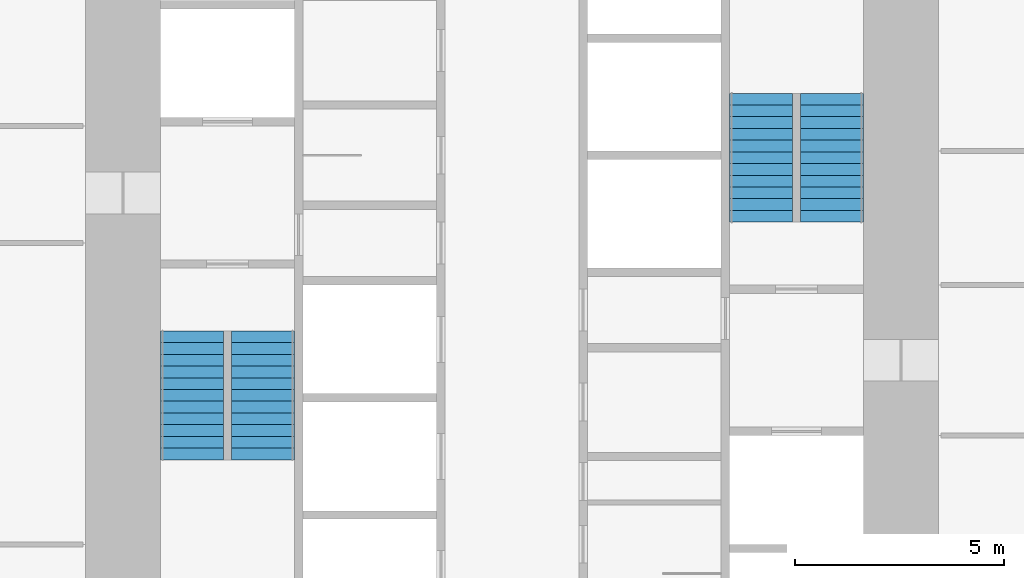
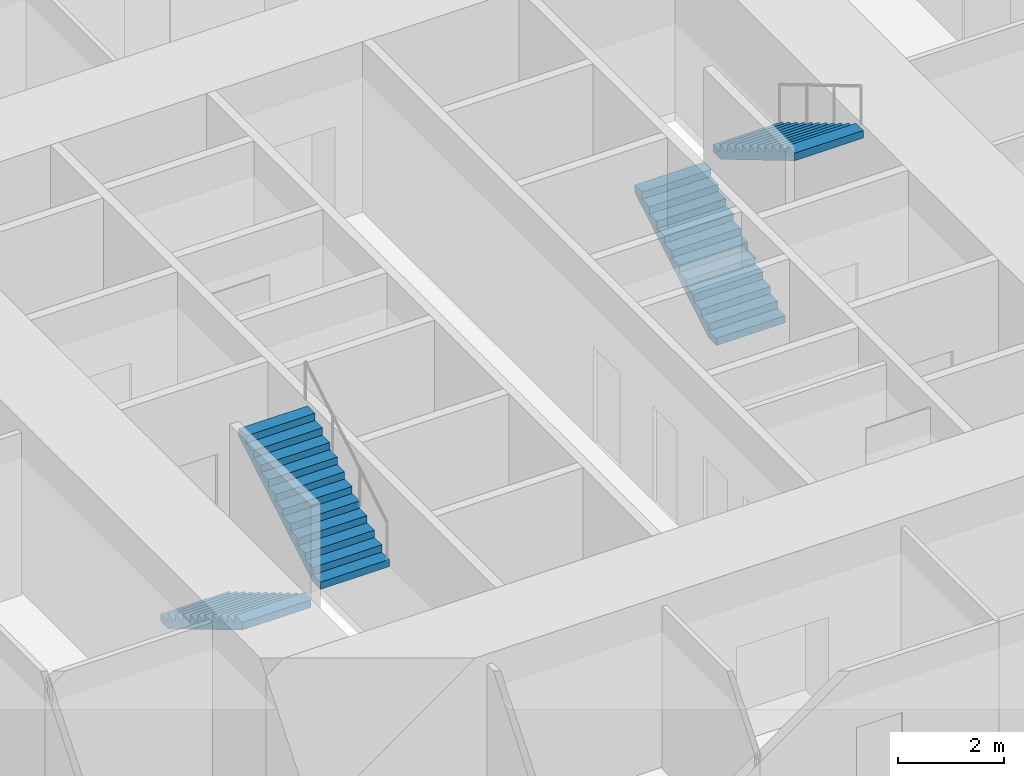
# One storey, part 13 of 16: 4 stair flights, 2 elements without a shape of their own.
"""IFC4 building model written with IfcOpenShell, lengths in metres."""

from ifc_helpers import new_model, si_unit, direction, frame, origin, place, context, subcontext, project, spatial, polyline, outline, extrude, material, type_object, element, aggregate, save


model = new_model("IFC4")

# Units and contexts
model_context = context("Model", 3, precision=1e-05, world=origin(), true_north=direction((0.0, 1.0)))
body_context = subcontext(model_context, "Body", "Model", "MODEL_VIEW")
ifc_project = project(units=[si_unit("LENGTHUNIT", "METRE"), si_unit("AREAUNIT", "SQUARE_METRE"), si_unit("VOLUMEUNIT", "CUBIC_METRE"), si_unit("PLANEANGLEUNIT", "RADIAN"), si_unit("MASSUNIT", "GRAM", prefix="KILO")], contexts=[model_context])

# Site, building, storey
site_placement = place(None, origin())
site = spatial("IfcSite", under=ifc_project, at=site_placement, CompositionType="ELEMENT")
building_placement = place(site_placement, origin())
building = spatial("IfcBuilding", under=site, at=building_placement, Name="Svetlomir Tower", CompositionType="ELEMENT")
storey_placement = place(building_placement, frame((0.0, 0.0, 22.5)))
storey = spatial("IfcBuildingStorey", under=building, at=storey_placement, Name="L04", CompositionType="ELEMENT", Elevation=22.5)

# Stair, stair flights
ifc_material_1 = material(Name="Concrete C60/75", Category="concrete")
stair_type = type_object("IfcStairType", Name="EXIT STAIR 3200 RISE 4000", PredefinedType="HALF_TURN_STAIR", material=ifc_material_1)
stair_1_placement = place(storey_placement, origin())
stair_1 = element("IfcStair", 1, at=stair_1_placement, inside=storey, type_object=stair_type, Name="Stair S1 L04 to L05", PredefinedType="HALF_TURN_STAIR")
ifc_material_2 = material(Name="Concrete C60/75", Category="concrete")
stair_flight_type = type_object("IfcStairFlightType", Name="STAIR FLIGHT 1500 OF 12 RISERS", PredefinedType="STRAIGHT", material=ifc_material_2)
stair_flight_1_placement = place(storey_placement, frame((13.35009765625, 19.699951171875, 0.0), z_axis=(0.0, 0.0, 1.0), x_axis=(0.0, -1.0, 0.0)))
stair_flight_1 = element("IfcStairFlight", 2, at=stair_flight_1_placement, type_object=stair_flight_type, Name="S1 flight 1", NumberOfRisers=12, NumberOfTreads=11, PredefinedType="STRAIGHT", RiserHeight=0.166666667, TreadLength=0.28, context=body_context, shape_type="SweptSolid", body=[
    extrude(outline(polyline([(0.0, 0.0), (0.0, 0.166748046875), (0.280029296875, 0.166748046875), (0.280029296875, 0.333251953125), (0.56005859375, 0.333251953125), (0.56005859375, 0.5), (0.840087890625, 0.5), (0.840087890625, 0.666748046875), (1.1201171875, 0.666748046875), (1.1201171875, 0.833251953125), (1.39990234375, 0.833251953125), (1.39990234375, 1.0), (1.679931640625, 1.0), (1.679931640625, 1.166748046875), (1.9599609375, 1.166748046875), (1.9599609375, 1.333251953125), (2.239990234375, 1.333251953125), (2.239990234375, 1.5), (2.52001953125, 1.5), (2.52001953125, 1.666748046875), (2.800048828125, 1.666748046875), (2.800048828125, 1.833251953125), (3.080078125, 1.833251953125), (3.080078125, 2.0), (3.080078125, 1.658935546875), (0.29296875, 0.0), (0.0, 0.0)])), frame((0.0, 0.75, 0.0), z_axis=(0.0, -1.0, 0.0), x_axis=(1.0, 0.0, 0.0)), (0.0, 0.0, 1.0), 1.5),
])
stair_flight_2_placement = place(storey_placement, frame((15.050048828125, 16.6201171875, 2.0), z_axis=(0.0, 0.0, 1.0), x_axis=(0.0, 1.0, 0.0)))
stair_flight_2 = element("IfcStairFlight", 3, at=stair_flight_2_placement, type_object=stair_flight_type, Name="S1 flight 2", NumberOfRisers=12, NumberOfTreads=11, PredefinedType="STRAIGHT", RiserHeight=0.166666667, TreadLength=0.28, context=body_context, shape_type="SweptSolid", body=[
    extrude(outline(polyline([(0.0, 0.0), (0.0, 0.166748046875), (0.280029296875, 0.166748046875), (0.280029296875, 0.333251953125), (0.56005859375, 0.333251953125), (0.56005859375, 0.5), (0.840087890625, 0.5), (0.840087890625, 0.666748046875), (1.1201171875, 0.666748046875), (1.1201171875, 0.833251953125), (1.39990234375, 0.833251953125), (1.39990234375, 1.0), (1.679931640625, 1.0), (1.679931640625, 1.166748046875), (1.9599609375, 1.166748046875), (1.9599609375, 1.333251953125), (2.239990234375, 1.333251953125), (2.239990234375, 1.5), (2.52001953125, 1.5), (2.52001953125, 1.666748046875), (2.800048828125, 1.666748046875), (2.800048828125, 1.833251953125), (3.080078125, 1.833251953125), (3.080078125, 2.0), (3.080078125, 1.658935546875), (0.29296875, 0.0), (0.0, 0.0)])), frame((0.0, 0.75, 0.0), z_axis=(0.0, -1.0, 0.0), x_axis=(1.0, 0.0, 0.0)), (0.0, 0.0, 1.0), 1.5),
])
aggregate(stair_1, [stair_flight_1, stair_flight_2])

stair_2_placement = place(storey_placement, origin())
stair_2 = element("IfcStair", 4, at=stair_2_placement, inside=storey, type_object=stair_type, Name="Stair S2 L04 to L05", PredefinedType="HALF_TURN_STAIR")
stair_flight_3_placement = place(storey_placement, frame((26.949951171875, 22.300048828125, 0.0), z_axis=(0.0, 0.0, 1.0), x_axis=(0.0, 1.0, 0.0)))
stair_flight_3 = element("IfcStairFlight", 5, at=stair_flight_3_placement, type_object=stair_flight_type, Name="S2 flight 1", NumberOfRisers=12, NumberOfTreads=11, PredefinedType="STRAIGHT", RiserHeight=0.166666667, TreadLength=0.28, context=body_context, shape_type="SweptSolid", body=[
    extrude(outline(polyline([(0.0, 0.0), (0.0, 0.166748046875), (0.280029296875, 0.166748046875), (0.280029296875, 0.333251953125), (0.56005859375, 0.333251953125), (0.56005859375, 0.5), (0.840087890625, 0.5), (0.840087890625, 0.666748046875), (1.1201171875, 0.666748046875), (1.1201171875, 0.833251953125), (1.39990234375, 0.833251953125), (1.39990234375, 1.0), (1.679931640625, 1.0), (1.679931640625, 1.166748046875), (1.9599609375, 1.166748046875), (1.9599609375, 1.333251953125), (2.239990234375, 1.333251953125), (2.239990234375, 1.5), (2.52001953125, 1.5), (2.52001953125, 1.666748046875), (2.800048828125, 1.666748046875), (2.800048828125, 1.833251953125), (3.080078125, 1.833251953125), (3.080078125, 2.0), (3.080078125, 1.658935546875), (0.29296875, 0.0), (0.0, 0.0)])), frame((0.0, 0.75, 0.0), z_axis=(0.0, -1.0, 0.0), x_axis=(1.0, 0.0, 0.0)), (0.0, 0.0, 1.0), 1.5),
])
stair_flight_4_placement = place(storey_placement, frame((28.64990234375, 25.3798828125, 2.0), z_axis=(0.0, 0.0, 1.0), x_axis=(0.0, -1.0, 0.0)))
stair_flight_4 = element("IfcStairFlight", 6, at=stair_flight_4_placement, type_object=stair_flight_type, Name="S2 flight 2", NumberOfRisers=12, NumberOfTreads=11, PredefinedType="STRAIGHT", RiserHeight=0.166666667, TreadLength=0.28, context=body_context, shape_type="SweptSolid", body=[
    extrude(outline(polyline([(0.0, 0.0), (0.0, 0.166748046875), (0.280029296875, 0.166748046875), (0.280029296875, 0.333251953125), (0.56005859375, 0.333251953125), (0.56005859375, 0.5), (0.840087890625, 0.5), (0.840087890625, 0.666748046875), (1.1201171875, 0.666748046875), (1.1201171875, 0.833251953125), (1.39990234375, 0.833251953125), (1.39990234375, 1.0), (1.679931640625, 1.0), (1.679931640625, 1.166748046875), (1.9599609375, 1.166748046875), (1.9599609375, 1.333251953125), (2.239990234375, 1.333251953125), (2.239990234375, 1.5), (2.52001953125, 1.5), (2.52001953125, 1.666748046875), (2.800048828125, 1.666748046875), (2.800048828125, 1.833251953125), (3.080078125, 1.833251953125), (3.080078125, 2.0), (3.080078125, 1.658935546875), (0.29296875, 0.0), (0.0, 0.0)])), frame((0.0, 0.75, 0.0), z_axis=(0.0, -1.0, 0.0), x_axis=(1.0, 0.0, 0.0)), (0.0, 0.0, 1.0), 1.5),
])
aggregate(stair_2, [stair_flight_3, stair_flight_4])

save(model, "model.ifc")
